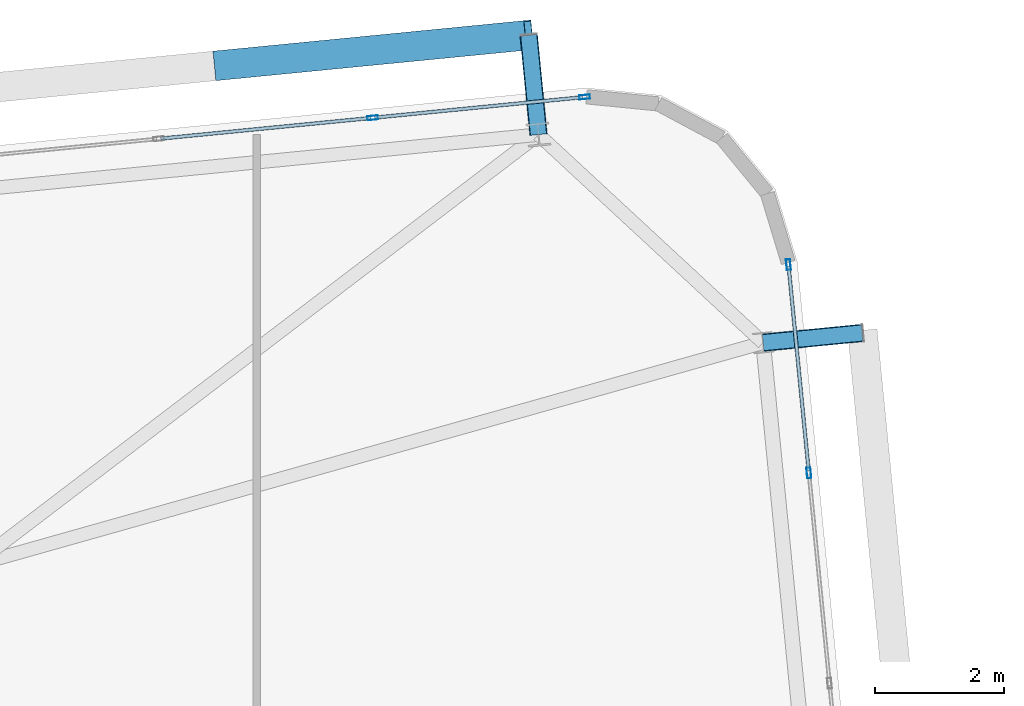
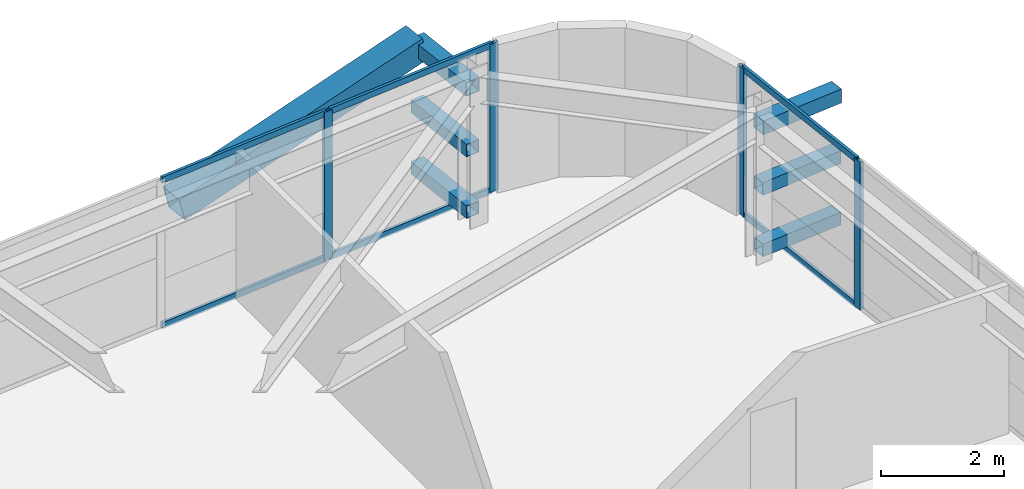
# One storey, part 35 of 54: 17 members, 2 elements without a shape of their own.
"""IFC4 building model written with IfcOpenShell, lengths in metres."""

from ifc_helpers import new_model, si_unit, direction, frame, origin, origin_2d, place, context, subcontext, project, spatial, hollow_rectangle, extrude, source, transform, mapped, material, layer, layer_set, material_profile, profile_set, type_object, element, aggregate, save


model = new_model("IFC4")

# Units and contexts
model_context = context("Model", 3, precision=1e-05, world=origin(), true_north=direction((0.0, 1.0)))
body_context = subcontext(model_context, "Body", "Model", "MODEL_VIEW")
ifc_project = project(units=[si_unit("LENGTHUNIT", "METRE"), si_unit("AREAUNIT", "SQUARE_METRE"), si_unit("VOLUMEUNIT", "CUBIC_METRE"), si_unit("PLANEANGLEUNIT", "RADIAN"), si_unit("MASSUNIT", "GRAM", prefix="KILO")], contexts=[model_context])

# Site, building, storey
site_placement = place(None, origin())
site = spatial("IfcSite", under=ifc_project, at=site_placement, CompositionType="ELEMENT")
building_placement = place(site_placement, origin())
building = spatial("IfcBuilding", under=site, at=building_placement, Name="Taldren Reach Tower", CompositionType="ELEMENT")
storey_placement = place(building_placement, frame((0.0, 0.0, 99.75)))
storey = spatial("IfcBuildingStorey", under=building, at=storey_placement, Name="L30", CompositionType="ELEMENT", Elevation=99.75)

# Members
ifc_material_1 = material(Name="Steel Gr 450 (C450L0)", Category="steel")
ifc_material_profile_1 = material_profile(ifc_material_1, hollow_rectangle(XDim=0.27490234375, YDim=0.27490234375, WallThickness=0.00927734375, at=origin_2d()), Name="275x275x9.3SHS")
ifc_profile_set_1 = profile_set([ifc_material_profile_1], Name="Steel Gr 450 (C450L0)")
member_type_1 = type_object("IfcMemberType", Name="MB-TIE273", PredefinedType="STRUT", material=ifc_profile_set_1)
shared_shape_1 = source(origin(), body_context, "Body", "SweptSolid", [
    extrude(hollow_rectangle(XDim=0.27490234375, YDim=0.27490234375, WallThickness=0.00927734375, at=origin_2d()), origin(), (0.0, 0.0, 1.0), 1.5498046875),
])
for number, where, z_axis, x_axis, name in (
    (1, (59.765869140625, 38.679931640625, 2.64990234375), (-0.097663201064, 0.995219523099, 0.0), (-0.995219523099, -0.097663201064, 0.0), "Exoskeleton diaphragm tie strut B2-N6 L30"),
    (2, (63.247314453125, 35.454345703125, 2.64990234375), (0.995234821595, 0.097507178627, 0.0), (-0.097507178627, 0.995234821595, 0.0), "Exoskeleton diaphragm tie strut B2-E3 L30"),
):
    element("IfcMember", number, at=place(storey_placement, frame(where, z_axis=z_axis, x_axis=x_axis)), inside=storey, type_object=member_type_1, Name=name, PredefinedType="STRUT", context=body_context, shape_type="MappedRepresentation", body=[
        mapped(shared_shape_1, transform((0.0, 0.0, 0.0), scale=1.0)),
    ])
ifc_material_2 = material(Name="Steel Gr 350 (C350L0)", Category="steel")
ifc_material_profile_2 = material_profile(ifc_material_2, hollow_rectangle(XDim=0.25, YDim=0.25, WallThickness=0.010009765625, at=origin_2d()), Name="250x250x10.0SHS")
ifc_profile_set_2 = profile_set([ifc_material_profile_2], Name="Steel Gr 350 (C350L0)")
member_type_2 = type_object("IfcMemberType", Name="MB-POST250", PredefinedType="POST", material=ifc_profile_set_2)
shared_shape_2 = source(origin(), body_context, "Body", "SweptSolid", [
    extrude(hollow_rectangle(XDim=0.25, YDim=0.25, WallThickness=0.010009765625, at=origin_2d()), origin(), (0.0, 0.0, 1.0), 1.5498046875),
])
for number, where, z_axis, x_axis, name in (
    (3, (59.765869140625, 38.679931640625, 0.219970703125), (-0.097663201064, 0.995219523099, 0.0), (-0.995219523099, -0.097663201064, 0.0), "Exoskeleton base diaphragm tie strut B2-N6 L30"),
    (4, (63.247314453125, 35.454345703125, 0.219970703125), (0.995234821595, 0.097507178627, 0.0), (-0.097507178627, 0.995234821595, 0.0), "Exoskeleton base diaphragm tie strut B2-E3 L30"),
    (5, (59.765869140625, 38.679931640625, 1.43505859375), (-0.097663201064, 0.995219523099, 0.0), (-0.995219523099, -0.097663201064, 0.0), "Exoskeleton mid-tier diaphragm tie B2-N6 L30"),
    (6, (63.247314453125, 35.454345703125, 1.43505859375), (0.995234821595, 0.097507178627, 0.0), (-0.097507178627, 0.995234821595, 0.0), "Exoskeleton mid-tier diaphragm tie B2-E3 L30"),
):
    element("IfcMember", number, at=place(storey_placement, frame(where, z_axis=z_axis, x_axis=x_axis)), inside=storey, type_object=member_type_2, Name=name, PredefinedType="POST", context=body_context, shape_type="MappedRepresentation", body=[
        mapped(shared_shape_2, transform((0.0, 0.0, 0.0), scale=1.0)),
    ])
ifc_material_profile_3 = material_profile(ifc_material_1, hollow_rectangle(XDim=0.4599609375, YDim=0.4599609375, WallThickness=0.01611328125, at=origin_2d()), Name="460x460x16.0SHS")
ifc_profile_set_3 = profile_set([ifc_material_profile_3], Name="Steel Gr 450 (C450L0)")
member_type_3 = type_object("IfcMemberType", Name="MB-EXO457", PredefinedType="BRACE", material=ifc_profile_set_3)
shared_shape_3 = source(origin(), body_context, "Body", "SweptSolid", [
    extrude(hollow_rectangle(XDim=0.4599609375, YDim=0.4599609375, WallThickness=0.01611328125, at=origin_2d()), origin(), (0.0, 0.0, 1.0), 4.990234375),
])
member_1_placement = place(storey_placement, frame((54.797607421875, 39.750244140625, 1.43505859375), z_axis=(0.965287024526, 0.094620633828, 0.24344998652), x_axis=(-0.097555749586, 0.995230061706, 0.0)))
element("IfcMember", 7, at=member_1_placement, inside=storey, type_object=member_type_3, Name="Exoskeleton Diagrid Brace B2-N5 L30", PredefinedType="BRACE", context=body_context, shape_type="MappedRepresentation", body=[
    mapped(shared_shape_3, transform((0.0, 0.0, 0.0), scale=1.0)),
])

# Curtain wall, members
ifc_material_3 = material(Name="Aluminium and Low-E Glass Unitised System", Category="aluminium")
ifc_layer = layer(ifc_material_3, 0.159912109375)
ifc_layer_set = layer_set([ifc_layer], Name="Aluminium and Low-E Glass Unitised System")
curtain_wall_type = type_object("IfcCurtainWallType", Name="CW-SYS-3", PredefinedType="NOTDEFINED", material=ifc_layer_set)
curtain_wall_1_placement = place(storey_placement, origin())
curtain_wall_1 = element("IfcCurtainWall", 8, at=curtain_wall_1_placement, inside=storey, type_object=curtain_wall_type, Name="Unitised curtain wall CW-L30-N", PredefinedType="NOTDEFINED")
ifc_material_4 = material(Name="Anodised Aluminium 6063-T6", Category="aluminium")
ifc_material_profile_4 = material_profile(ifc_material_4, hollow_rectangle(XDim=0.06494140625, YDim=0.1650390625, WallThickness=0.00390625, at=origin_2d()), Name="ALU-165x65x4RHS")
ifc_profile_set_4 = profile_set([ifc_material_profile_4], Name="Anodised Aluminium 6063-T6")
member_type_4 = type_object("IfcMemberType", Name="CW-MUL-165", PredefinedType="MULLION", material=ifc_profile_set_4)
shared_shape_4 = source(origin(), body_context, "Body", "SweptSolid", [
    extrude(hollow_rectangle(XDim=0.06494140625, YDim=0.1650390625, WallThickness=0.00390625, at=origin_2d()), origin(), (0.0, 0.0, 1.0), 2.929931640625),
])
member_2_placement = place(storey_placement, frame((60.47998046875, 39.262451171875, 0.0), z_axis=(0.0, 0.0, 1.0), x_axis=(0.097582999046, -0.995227390247, 0.0)))
member_2 = element("IfcMember", 9, at=member_2_placement, type_object=member_type_4, Name="CW-3 mullion 1", PredefinedType="MULLION", context=body_context, shape_type="MappedRepresentation", body=[
    mapped(shared_shape_4, transform((0.0, 0.0, 0.0), scale=1.0)),
])
member_3_placement = place(storey_placement, frame((57.19482421875, 38.940185546875, 0.0), z_axis=(0.0, 0.0, 1.0), x_axis=(0.097582999046, -0.995227390247, 0.0)))
member_3 = element("IfcMember", 10, at=member_3_placement, type_object=member_type_4, Name="CW-3 mullion 2", PredefinedType="MULLION", context=body_context, shape_type="MappedRepresentation", body=[
    mapped(shared_shape_4, transform((0.0, 0.0, 0.0), scale=1.0)),
])

curtain_wall_2_placement = place(storey_placement, origin())
curtain_wall_2 = element("IfcCurtainWall", 11, at=curtain_wall_2_placement, inside=storey, type_object=curtain_wall_type, Name="Unitised curtain wall CW-L30-E", PredefinedType="NOTDEFINED")
member_4_placement = place(storey_placement, frame((63.95751953125, 33.43603515625, 0.0), z_axis=(0.0, 0.0, 1.0), x_axis=(-0.99522741555, -0.09758274098, 0.0)))
member_4 = element("IfcMember", 12, at=member_4_placement, type_object=member_type_4, Name="CW-3 mullion 9", PredefinedType="MULLION", context=body_context, shape_type="MappedRepresentation", body=[
    mapped(shared_shape_4, transform((0.0, 0.0, 0.0), scale=1.0)),
])
member_5_placement = place(storey_placement, frame((63.640869140625, 36.666015625, 0.0), z_axis=(0.0, 0.0, 1.0), x_axis=(-0.99522741555, -0.09758274098, 0.0)))
member_5 = element("IfcMember", 13, at=member_5_placement, type_object=member_type_4, Name="CW-3 mullion 10", PredefinedType="MULLION", context=body_context, shape_type="MappedRepresentation", body=[
    mapped(shared_shape_4, transform((0.0, 0.0, 0.0), scale=1.0)),
])

# Member
ifc_material_profile_5 = material_profile(ifc_material_4, hollow_rectangle(XDim=0.054931640625, YDim=0.1201171875, WallThickness=0.0029296875, at=origin_2d()), Name="ALU-120x55x3RHS")
ifc_profile_set_5 = profile_set([ifc_material_profile_5], Name="Anodised Aluminium 6063-T6")
member_type_5 = type_object("IfcMemberType", Name="CW-TRN-135", PredefinedType="USERDEFINED", material=ifc_profile_set_5)
shared_shape_5 = source(origin(), body_context, "Body", "SweptSolid", [
    extrude(hollow_rectangle(XDim=0.054931640625, YDim=0.1201171875, WallThickness=0.0029296875, at=origin_2d()), origin(), (0.0, 0.0, 1.0), 3.23583984375),
])
member_6_placement = place(storey_placement, frame((60.447509765625, 39.25927734375, 0.027587890625), z_axis=(-0.995222920971, -0.097628569459, 0.0), x_axis=(0.097628569459, -0.995222920971, 0.0)))
member_6 = element("IfcMember", 14, at=member_6_placement, type_object=member_type_5, Name="CW-3 transom 1.1", ObjectType="TRANSOM", PredefinedType="USERDEFINED", context=body_context, shape_type="MappedRepresentation", body=[
    mapped(shared_shape_5, transform((0.0, 0.0, 0.0), scale=1.0)),
])

member_7_placement = place(storey_placement, frame((60.447509765625, 39.25927734375, 2.902587890625), z_axis=(-0.995222920971, -0.097628569459, 0.0), x_axis=(0.097628569459, -0.995222920971, 0.0)))
member_7 = element("IfcMember", 15, at=member_7_placement, type_object=member_type_5, Name="CW-3 transom 1.2", ObjectType="TRANSOM", PredefinedType="USERDEFINED", context=body_context, shape_type="MappedRepresentation", body=[
    mapped(shared_shape_5, transform((0.0, 0.0, 0.0), scale=1.0)),
])

shared_shape_6 = source(origin(), body_context, "Body", "SweptSolid", [
    extrude(hollow_rectangle(XDim=0.054931640625, YDim=0.1201171875, WallThickness=0.0029296875, at=origin_2d()), origin(), (0.0, 0.0, 1.0), 3.2685546875),
])
member_8_placement = place(storey_placement, frame((57.16259765625, 38.93701171875, 0.027587890625), z_axis=(-0.99523051601, -0.097551114824, 0.0), x_axis=(0.097551114824, -0.99523051601, 0.0)))
member_8 = element("IfcMember", 16, at=member_8_placement, type_object=member_type_5, Name="CW-3 transom 2.1", ObjectType="TRANSOM", PredefinedType="USERDEFINED", context=body_context, shape_type="MappedRepresentation", body=[
    mapped(shared_shape_6, transform((0.0, 0.0, 0.0), scale=1.0)),
])

member_9_placement = place(storey_placement, frame((57.16259765625, 38.93701171875, 2.902587890625), z_axis=(-0.99523051601, -0.097551114824, 0.0), x_axis=(0.097551114824, -0.99523051601, 0.0)))
member_9 = element("IfcMember", 17, at=member_9_placement, type_object=member_type_5, Name="CW-3 transom 2.2", ObjectType="TRANSOM", PredefinedType="USERDEFINED", context=body_context, shape_type="MappedRepresentation", body=[
    mapped(shared_shape_6, transform((0.0, 0.0, 0.0), scale=1.0)),
])

aggregate(curtain_wall_1, [member_2, member_3, member_6, member_7, member_8, member_9])

shared_shape_7 = source(origin(), body_context, "Body", "SweptSolid", [
    extrude(hollow_rectangle(XDim=0.054931640625, YDim=0.1201171875, WallThickness=0.0029296875, at=origin_2d()), origin(), (0.0, 0.0, 1.0), 3.18017578125),
])
member_10_placement = place(storey_placement, frame((63.954345703125, 33.468505859375, 0.027587890625), z_axis=(-0.097572914968, 0.995228378949, 0.0), x_axis=(-0.995228378949, -0.097572914968, 0.0)))
member_10 = element("IfcMember", 18, at=member_10_placement, type_object=member_type_5, Name="CW-3 transom 9.1", ObjectType="TRANSOM", PredefinedType="USERDEFINED", context=body_context, shape_type="MappedRepresentation", body=[
    mapped(shared_shape_7, transform((0.0, 0.0, 0.0), scale=1.0)),
])

member_11_placement = place(storey_placement, frame((63.954345703125, 33.468505859375, 2.902587890625), z_axis=(-0.097572914968, 0.995228378949, 0.0), x_axis=(-0.995228378949, -0.097572914968, 0.0)))
member_11 = element("IfcMember", 19, at=member_11_placement, type_object=member_type_5, Name="CW-3 transom 9.2", ObjectType="TRANSOM", PredefinedType="USERDEFINED", context=body_context, shape_type="MappedRepresentation", body=[
    mapped(shared_shape_7, transform((0.0, 0.0, 0.0), scale=1.0)),
])

aggregate(curtain_wall_2, [member_4, member_5, member_10, member_11])

save(model, "model.ifc")
